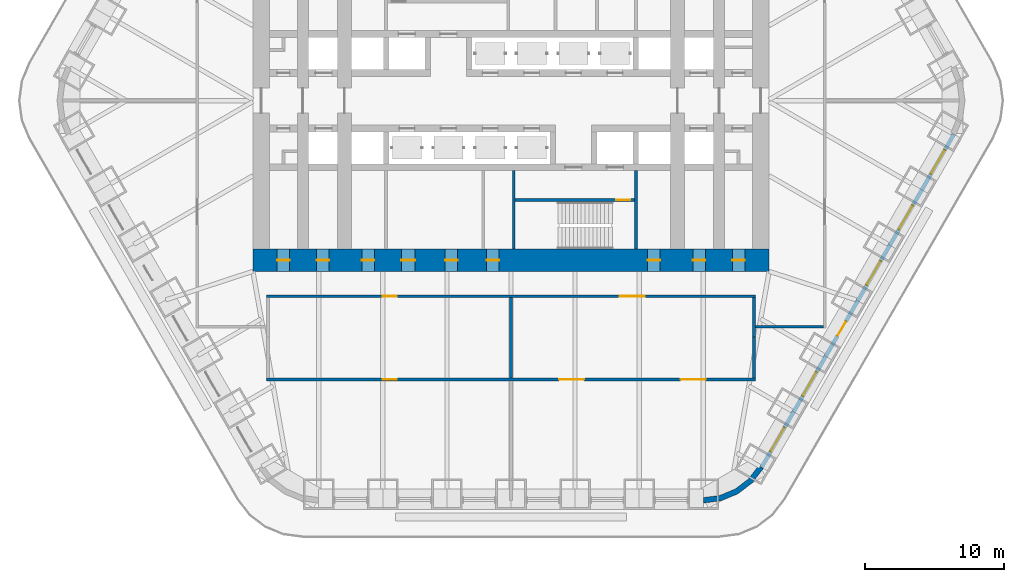
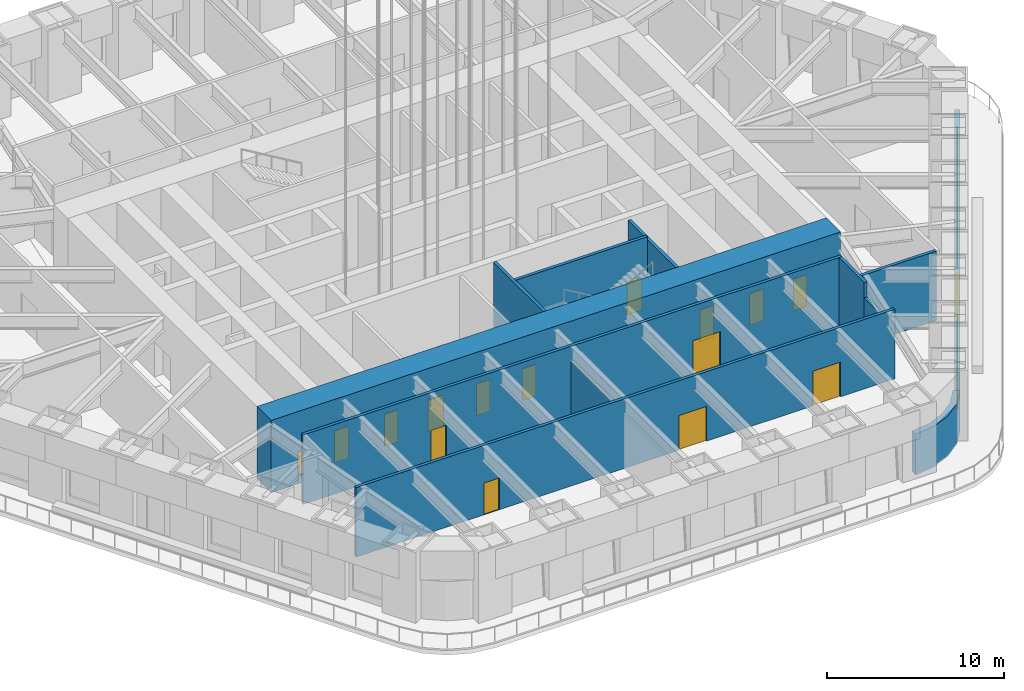
# One storey, part 8 of 15: 16 doors, 12 walls, 5 windows, 21 openings.
"""IFC4 building model written with IfcOpenShell, lengths in metres."""

import ifcopenshell
import ifcopenshell.guid

model = None  # the IFC model being written
_history = None  # IfcOwnerHistory: only IFC2X3 demands one
_inside = {}  # id of a spatial element -> (the spatial element, [elements in it])
_under = {}  # id of a project, library or spatial element -> (it, [spatial elements below it])
_declared = {}  # id of a project -> (the project, [libraries it declares])
_typed = {}  # id of a type object -> (the type object, [elements of that type])
_made_of = {}  # id of a material, layer set ... -> (it, [elements and type objects made of it])


def new_model(schema):
    """Start an empty IFC model of exactly this schema.

    Asked for "IFC4X3", IfcOpenShell would pick the latest addendum, in which some entities
    have other attributes; the version numbers below select the first issue.
    IFC2X3 requires an IfcOwnerHistory on every rooted entity: one is made here for all.
    """
    global model, _history
    if schema == "IFC4X3":
        model = ifcopenshell.file(schema_version=(4, 3, 0, 0))
    else:
        model = ifcopenshell.file(schema=schema)
    _inside.clear()
    _under.clear()
    _declared.clear()
    _typed.clear()
    _made_of.clear()
    _history = None
    if model.schema == "IFC2X3":
        org = make("IfcOrganization", Name="unknown")
        user = make(
            "IfcPersonAndOrganization",
            ThePerson=make("IfcPerson", FamilyName="unknown"),
            TheOrganization=org,
        )
        app = make(
            "IfcApplication",
            ApplicationDeveloper=org,
            Version="unknown",
            ApplicationFullName="unknown",
            ApplicationIdentifier="unknown",
        )
        _history = make(
            "IfcOwnerHistory",
            OwningUser=user,
            OwningApplication=app,
            ChangeAction="ADDED",
            CreationDate=0,
        )
    return model


def make(cls, **values):
    """One entity of the class cls with the attributes given. An attribute that is None is left unset."""
    return model.create_entity(
        cls, **{name: value for name, value in values.items() if value is not None}
    )


def rooted(cls, **values):
    """An entity with a GlobalId (a new one), such as an element, a storey or a relation."""
    return make(cls, GlobalId=ifcopenshell.guid.new(), OwnerHistory=_history, **values)


def si_unit(unit_type, name, prefix=None):
    """IfcSIUnit, for example si_unit("LENGTHUNIT", "METRE", prefix="MILLI")."""
    return make("IfcSIUnit", UnitType=unit_type, Prefix=prefix, Name=name)


def assignment(units):
    """IfcUnitAssignment: the units of a project."""
    return None if units is None else make("IfcUnitAssignment", Units=units)


def point(xyz):
    """IfcCartesianPoint."""
    return None if xyz is None else make("IfcCartesianPoint", Coordinates=xyz)


def direction(xyz):
    """IfcDirection."""
    return None if xyz is None else make("IfcDirection", DirectionRatios=xyz)


def frame(location, z_axis=None, x_axis=None):
    """IfcAxis2Placement3D, a coordinate frame: its origin and axes. An axis left out is left unset."""
    return make(
        "IfcAxis2Placement3D",
        Location=point(location),
        Axis=direction(z_axis),
        RefDirection=direction(x_axis),
    )


def frame_2d(location, x_axis=None):
    """IfcAxis2Placement2D, a coordinate frame in the plane: its origin and x axis."""
    return make(
        "IfcAxis2Placement2D", Location=point(location), RefDirection=direction(x_axis)
    )


def origin():
    """The frame at (0, 0, 0) with its axes left unset."""
    return frame((0.0, 0.0, 0.0))


def place(relative_to, where):
    """IfcLocalPlacement: puts the frame where relative to a parent placement (None: the world)."""
    return make(
        "IfcLocalPlacement", PlacementRelTo=relative_to, RelativePlacement=where
    )


def context(
    kind, dimensions, precision=None, world=None, true_north=None, identifier=None
):
    """IfcGeometricRepresentationContext, for example the 3D "Model" context."""
    return make(
        "IfcGeometricRepresentationContext",
        ContextIdentifier=identifier,
        ContextType=kind,
        CoordinateSpaceDimension=dimensions,
        Precision=precision,
        WorldCoordinateSystem=world,
        TrueNorth=true_north,
    )


def subcontext(parent, identifier, kind, view, scale=None):
    """IfcGeometricRepresentationSubContext, for example "Body" below "Model"."""
    return make(
        "IfcGeometricRepresentationSubContext",
        ContextIdentifier=identifier,
        ContextType=kind,
        ParentContext=parent,
        TargetScale=scale,
        TargetView=view,
    )


def project(units=None, contexts=None):
    """IfcProject with its units and contexts."""
    return rooted(
        "IfcProject",
        Name="project",
        RepresentationContexts=contexts,
        UnitsInContext=assignment(units),
    )


def spatial(cls, under=None, at=None, **own):
    """A site, building, storey or space (cls), placed at a placement, below another one or the project."""
    s = rooted(cls, ObjectPlacement=at, **own)
    if under is not None:
        _under.setdefault(under.id(), (under, []))[1].append(s)
    return s


def polyline(points):
    """IfcPolyline through the points."""
    return make("IfcPolyline", Points=[point(p) for p in points])


def profile(cls, at=None, kind="AREA", **sizes):
    """A parametric profile (cls). Its sizes go by their IFC names, for example OverallWidth=200.0."""
    return make(cls, ProfileType=kind, Position=at, **sizes)


def rectangle(**sizes):
    """IfcRectangleProfileDef."""
    return profile("IfcRectangleProfileDef", **sizes)


def outline(outer, holes=None, kind="AREA"):
    """IfcArbitraryClosedProfileDef: a profile drawn as a closed curve; with holes, ...WithVoids."""
    if holes is None:
        return make("IfcArbitraryClosedProfileDef", ProfileType=kind, OuterCurve=outer)
    return make(
        "IfcArbitraryProfileDefWithVoids",
        ProfileType=kind,
        OuterCurve=outer,
        InnerCurves=holes,
    )


def extrude(swept, where, along, depth):
    """IfcExtrudedAreaSolid: the profile swept, set in the frame where, extruded along a direction by depth."""
    return make(
        "IfcExtrudedAreaSolid",
        SweptArea=swept,
        Position=where,
        ExtrudedDirection=direction(along),
        Depth=depth,
    )


def shape(context_of_items, identifier, shape_type, items):
    """IfcShapeRepresentation: the items that make up one representation, for example the "Body"."""
    return make(
        "IfcShapeRepresentation",
        ContextOfItems=context_of_items,
        RepresentationIdentifier=identifier,
        RepresentationType=shape_type,
        Items=items,
    )


def material(Name=None, Category=None):
    """IfcMaterial."""
    return make("IfcMaterial", Name=Name, Category=Category)


def layer(
    of_material, thickness, ventilated=None, Name=None, Category=None, Priority=None
):
    """IfcMaterialLayer: one layer of a wall or slab, of a material (None: an air gap)."""
    return make(
        "IfcMaterialLayer",
        Material=of_material,
        LayerThickness=thickness,
        IsVentilated=ventilated,
        Name=Name,
        Category=Category,
        Priority=Priority,
    )


def layer_set(layers, Name=None):
    """IfcMaterialLayerSet."""
    return make("IfcMaterialLayerSet", MaterialLayers=layers, LayerSetName=Name)


def made_of(thing, what):
    """Note that an element or type object is made of a material, layer set ...; save() writes the relation."""
    if what is not None:
        _made_of.setdefault(what.id(), (what, []))[1].append(thing)
    return thing


def type_object(cls, material=None, **own):
    """A type object (cls), such as IfcWallType, which elements share."""
    return made_of(rooted(cls, **own), material)


def element(
    cls,
    number,
    at=None,
    inside=None,
    cuts=None,
    type_object=None,
    material=None,
    context=None,
    identifier="Body",
    shape_type=None,
    held_by="IfcProductDefinitionShape",
    body=None,
    shapes=None,
    **own,
):
    """One element of the class cls, such as IfcWall. Its Tag is "e" and its number.

    at: its placement. inside: the storey or other place that contains it. cuts: it is an
    opening in that element (IfcRelVoidsElement). A single representation is given by context,
    identifier, shape_type and body (its items); several are given by shapes. held_by: the class
    of the entity that holds the representations. save() writes the other relations.
    """
    e = rooted(cls, Tag="e%d" % number, ObjectPlacement=at, **own)
    if body is not None:
        shapes = [shape(context, identifier, shape_type, body)]
    if shapes is not None:
        e.Representation = make(held_by, Representations=shapes)
    if inside is not None:
        _inside.setdefault(inside.id(), (inside, []))[1].append(e)
    if cuts is not None:
        rooted(
            "IfcRelVoidsElement", RelatingBuildingElement=cuts, RelatedOpeningElement=e
        )
    if type_object is not None:
        _typed.setdefault(type_object.id(), (type_object, []))[1].append(e)
    return made_of(e, material)


def fill(opening, filler):
    """IfcRelFillsElement: the door or window that sits in an opening."""
    return rooted(
        "IfcRelFillsElement",
        RelatingOpeningElement=opening,
        RelatedBuildingElement=filler,
    )


def aggregate(whole, parts):
    """IfcRelAggregates: a whole, such as a stair, and the parts it consists of."""
    return rooted("IfcRelAggregates", RelatingObject=whole, RelatedObjects=parts)


def save(model, path):
    """Write the relations noted so far, then the file.

    IfcRelAggregates (storeys below a building ...), IfcRelContainedInSpatialStructure (elements
    in a storey), IfcRelDefinesByType, IfcRelAssociatesMaterial and IfcRelDeclares: one each for
    every whole, place, type object, material and project.
    """
    for whole, parts in _under.values():
        aggregate(whole, parts)
    for where, things in _inside.values():
        rooted(
            "IfcRelContainedInSpatialStructure",
            RelatedElements=things,
            RelatingStructure=where,
        )
    for kind, things in _typed.values():
        rooted("IfcRelDefinesByType", RelatedObjects=things, RelatingType=kind)
    for what, things in _made_of.values():
        rooted("IfcRelAssociatesMaterial", RelatedObjects=things, RelatingMaterial=what)
    for by, libraries in _declared.values():
        rooted("IfcRelDeclares", RelatingContext=by, RelatedDefinitions=libraries)
    model.write(path)


model = new_model("IFC4")

# Units and contexts
model_context = context("Model", 3, precision=1e-05, world=origin(), true_north=direction((0.0, 1.0)))
body_context = subcontext(model_context, "Body", "Model", "MODEL_VIEW")
ifc_project = project(units=[si_unit("LENGTHUNIT", "METRE"), si_unit("AREAUNIT", "SQUARE_METRE"), si_unit("VOLUMEUNIT", "CUBIC_METRE"), si_unit("PLANEANGLEUNIT", "RADIAN"), si_unit("MASSUNIT", "GRAM", prefix="KILO")], contexts=[model_context])

# Site, building, storey
site_placement = place(None, origin())
site = spatial("IfcSite", under=ifc_project, at=site_placement, CompositionType="ELEMENT")
building_placement = place(site_placement, origin())
building = spatial("IfcBuilding", under=site, at=building_placement, Name="Tarfa Lantern Tower", CompositionType="ELEMENT")
storey_placement = place(building_placement, frame((0.0, 0.0, 210.5)))
storey = spatial("IfcBuildingStorey", under=building, at=storey_placement, Name="L47", CompositionType="ELEMENT", Elevation=210.5)

# Wall, openings, door, windows
ifc_material_1 = material(Name="Limestone cladding on blockwork", Category="masonry")
ifc_layer_1 = layer(ifc_material_1, 0.300048828125)
ifc_layer_set_1 = layer_set([ifc_layer_1], Name="EW1 STONE-CLAD WALL 300")
wall_type_1 = type_object("IfcWallType", Name="EW1 STONE-CLAD WALL 300", PredefinedType="SOLIDWALL", material=ifc_layer_set_1)
wall_1_placement = place(storey_placement, frame((18.056640625, -26.425048828125, 0.0), z_axis=(0.0, 0.0, 1.0), x_axis=(0.500001051461, 0.866024796723, 0.0)))
wall_1 = element("IfcWall", 1, at=wall_1_placement, inside=storey, type_object=wall_type_1, Name="Stone wall SE", PredefinedType="SOLIDWALL", context=body_context, shape_type="SweptSolid", body=[
    extrude(rectangle(XDim=27.712890625, YDim=0.300048828125, at=frame_2d((13.8564453125, 0.0))), origin(), (0.0, 0.0, 1.0), 2.800048828125),
])
opening_1_placement = place(wall_1_placement, frame((1.309326171875, 0.0, 0.60009765625)))
opening_1 = element("IfcOpeningElement", 2, at=opening_1_placement, cuts=wall_1, Name="Opening W11", PredefinedType="OPENING", context=body_context, shape_type="SweptSolid", body=[
    extrude(rectangle(XDim=2.0, YDim=1.949951171875, at=frame_2d((1.0, 0.97509765625))), frame((0.0, 0.159912109375, 0.0), z_axis=(0.0, -1.0, 0.0), x_axis=(1.0, 0.0, 0.0)), (0.0, 0.0, 1.0), 0.320068359375),
])
opening_2_placement = place(wall_1_placement, frame((5.92822265625, 0.0, 0.60009765625)))
opening_2 = element("IfcOpeningElement", 3, at=opening_2_placement, cuts=wall_1, Name="Opening W11", PredefinedType="OPENING", context=body_context, shape_type="SweptSolid", body=[
    extrude(rectangle(XDim=2.0, YDim=1.949951171875, at=frame_2d((1.0, 0.97509765625))), frame((0.0, 0.159912109375, 0.0), z_axis=(0.0, -1.0, 0.0), x_axis=(1.0, 0.0, 0.0)), (0.0, 0.0, 1.0), 0.320068359375),
])
opening_3_placement = place(wall_1_placement, frame((10.947021484375, 0.0, 0.0)))
opening_3 = element("IfcOpeningElement", 4, at=opening_3_placement, cuts=wall_1, Name="Opening D50", PredefinedType="OPENING", context=body_context, shape_type="SweptSolid", body=[
    extrude(rectangle(XDim=1.199951171875, YDim=2.39990234375, at=frame_2d((0.60009765625, 1.199951171875))), frame((0.0, 0.159912109375, 0.0), z_axis=(0.0, -1.0, 0.0), x_axis=(1.0, 0.0, 0.0)), (0.0, 0.0, 1.0), 0.320068359375),
])
opening_4_placement = place(wall_1_placement, frame((15.165771484375, 0.0, 0.60009765625)))
opening_4 = element("IfcOpeningElement", 5, at=opening_4_placement, cuts=wall_1, Name="Opening W11", PredefinedType="OPENING", context=body_context, shape_type="SweptSolid", body=[
    extrude(rectangle(XDim=2.0, YDim=1.949951171875, at=frame_2d((1.0, 0.97509765625))), frame((0.0, 0.159912109375, 0.0), z_axis=(0.0, -1.0, 0.0), x_axis=(1.0, 0.0, 0.0)), (0.0, 0.0, 1.0), 0.320068359375),
])
opening_5_placement = place(wall_1_placement, frame((19.78466796875, 0.0, 0.60009765625)))
opening_5 = element("IfcOpeningElement", 6, at=opening_5_placement, cuts=wall_1, Name="Opening W11", PredefinedType="OPENING", context=body_context, shape_type="SweptSolid", body=[
    extrude(rectangle(XDim=2.0, YDim=1.949951171875, at=frame_2d((1.0, 0.97509765625))), frame((0.0, 0.159912109375, 0.0), z_axis=(0.0, -1.0, 0.0), x_axis=(1.0, 0.0, 0.0)), (0.0, 0.0, 1.0), 0.320068359375),
])
opening_6_placement = place(wall_1_placement, frame((24.4033203125, 0.0, 0.60009765625)))
opening_6 = element("IfcOpeningElement", 7, at=opening_6_placement, cuts=wall_1, Name="Opening W11", PredefinedType="OPENING", context=body_context, shape_type="SweptSolid", body=[
    extrude(rectangle(XDim=2.0, YDim=1.949951171875, at=frame_2d((1.0, 0.97509765625))), frame((0.0, 0.159912109375, 0.0), z_axis=(0.0, -1.0, 0.0), x_axis=(1.0, 0.0, 0.0)), (0.0, 0.0, 1.0), 0.320068359375),
])
ifc_material_2 = material(Name="Aluminium framed glazed door", Category="aluminium")
door_type_1 = type_object("IfcDoorType", Name="BE3 BALCONY DOOR 1200x2400", OperationType="SINGLE_SWING_RIGHT", PredefinedType="DOOR", material=ifc_material_2)
door_1_placement = place(opening_3_placement, origin())
door_1 = element("IfcDoor", 8, at=door_1_placement, inside=storey, type_object=door_type_1, Name="Balcony door SE", OperationType="SINGLE_SWING_RIGHT", OverallHeight=2.39990234375, OverallWidth=1.199951171875, PredefinedType="DOOR", context=body_context, shape_type="SweptSolid", body=[
    extrude(rectangle(XDim=1.199951171875, YDim=2.39990234375, at=frame_2d((0.60009765625, 1.199951171875))), frame((0.0, 0.02490234375, 0.0), z_axis=(0.0, -1.0, 0.0), x_axis=(1.0, 0.0, 0.0)), (0.0, 0.0, 1.0), 0.050048828125),
])
fill(opening_3, door_1)
ifc_material_3 = material(Name="Aluminium frame, double glazed", Category="aluminium")
window_type = type_object("IfcWindowType", Name="W11 FULL-HEIGHT GLAZING 2000x1950", PartitioningType="SINGLE_PANEL", PredefinedType="WINDOW", material=ifc_material_3)
window_1_placement = place(opening_1_placement, origin())
window_1 = element("IfcWindow", 9, at=window_1_placement, inside=storey, type_object=window_type, Name="Window SE 1", OverallHeight=1.949951171875, OverallWidth=2.0, PartitioningType="SINGLE_PANEL", PredefinedType="WINDOW", context=body_context, shape_type="SweptSolid", body=[
    extrude(rectangle(XDim=2.0, YDim=1.949951171875, at=frame_2d((1.0, 0.97509765625))), frame((0.0, 0.030029296875, 0.0), z_axis=(0.0, -1.0, 0.0), x_axis=(1.0, 0.0, 0.0)), (0.0, 0.0, 1.0), 0.06005859375),
])
fill(opening_1, window_1)
window_2_placement = place(opening_2_placement, origin())
window_2 = element("IfcWindow", 10, at=window_2_placement, inside=storey, type_object=window_type, Name="Window SE 2", OverallHeight=1.949951171875, OverallWidth=2.0, PartitioningType="SINGLE_PANEL", PredefinedType="WINDOW", context=body_context, shape_type="SweptSolid", body=[
    extrude(rectangle(XDim=2.0, YDim=1.949951171875, at=frame_2d((1.0, 0.97509765625))), frame((0.0, 0.030029296875, 0.0), z_axis=(0.0, -1.0, 0.0), x_axis=(1.0, 0.0, 0.0)), (0.0, 0.0, 1.0), 0.06005859375),
])
fill(opening_2, window_2)
window_3_placement = place(opening_4_placement, origin())
window_3 = element("IfcWindow", 11, at=window_3_placement, inside=storey, type_object=window_type, Name="Window SE 4", OverallHeight=1.949951171875, OverallWidth=2.0, PartitioningType="SINGLE_PANEL", PredefinedType="WINDOW", context=body_context, shape_type="SweptSolid", body=[
    extrude(rectangle(XDim=2.0, YDim=1.949951171875, at=frame_2d((1.0, 0.97509765625))), frame((0.0, 0.030029296875, 0.0), z_axis=(0.0, -1.0, 0.0), x_axis=(1.0, 0.0, 0.0)), (0.0, 0.0, 1.0), 0.06005859375),
])
fill(opening_4, window_3)
window_4_placement = place(opening_5_placement, origin())
window_4 = element("IfcWindow", 12, at=window_4_placement, inside=storey, type_object=window_type, Name="Window SE 5", OverallHeight=1.949951171875, OverallWidth=2.0, PartitioningType="SINGLE_PANEL", PredefinedType="WINDOW", context=body_context, shape_type="SweptSolid", body=[
    extrude(rectangle(XDim=2.0, YDim=1.949951171875, at=frame_2d((1.0, 0.97509765625))), frame((0.0, 0.030029296875, 0.0), z_axis=(0.0, -1.0, 0.0), x_axis=(1.0, 0.0, 0.0)), (0.0, 0.0, 1.0), 0.06005859375),
])
fill(opening_5, window_4)
window_5_placement = place(opening_6_placement, origin())
window_5 = element("IfcWindow", 13, at=window_5_placement, inside=storey, type_object=window_type, Name="Window SE 6", OverallHeight=1.949951171875, OverallWidth=2.0, PartitioningType="SINGLE_PANEL", PredefinedType="WINDOW", context=body_context, shape_type="SweptSolid", body=[
    extrude(rectangle(XDim=2.0, YDim=1.949951171875, at=frame_2d((1.0, 0.97509765625))), frame((0.0, 0.030029296875, 0.0), z_axis=(0.0, -1.0, 0.0), x_axis=(1.0, 0.0, 0.0)), (0.0, 0.0, 1.0), 0.06005859375),
])
fill(opening_6, window_5)

# Walls
ifc_layer_2 = layer(ifc_material_1, 0.39990234375)
ifc_layer_set_2 = layer_set([ifc_layer_2], Name="EW2 CURVED STONE CORNER 400")
wall_type_2 = type_object("IfcWallType", Name="EW2 CURVED STONE CORNER 400", PredefinedType="SOLIDWALL", material=ifc_layer_set_2)
wall_2_placement = place(storey_placement, origin())
element("IfcWall", 14, at=wall_2_placement, inside=storey, type_object=wall_type_2, Name="Stone corner S-SE", PredefinedType="SOLIDWALL", context=body_context, shape_type="SweptSolid", body=[
    extrude(outline(polyline([(13.8564453125, -29.0), (15.150390625, -28.82958984375), (16.3564453125, -28.330078125), (17.391845703125, -27.53564453125), (18.1865234375, -26.5), (17.840087890625, -26.300048828125), (17.109130859375, -27.252685546875), (16.156494140625, -27.983642578125), (15.046875, -28.443359375), (13.8564453125, -28.60009765625), (13.8564453125, -29.0)])), origin(), (0.0, 0.0, 1.0), 2.800048828125),
])
ifc_material_4 = material(Name="Concrete blockwork", Category="masonry")
ifc_layer_3 = layer(ifc_material_4, 0.199951171875)
ifc_layer_set_3 = layer_set([ifc_layer_3], Name="IW1 BLOCKWORK PARTITION 200 EI 120")
wall_type_3 = type_object("IfcWallType", Name="IW1 BLOCKWORK PARTITION 200 EI 120", PredefinedType="PARTITIONING", material=ifc_layer_set_3)
wall_3_placement = place(storey_placement, frame((9.0, -5.050048828125, 0.0), z_axis=(0.0, 0.0, 1.0), x_axis=(0.0, -1.0, 0.0)))
element("IfcWall", 15, at=wall_3_placement, inside=storey, type_object=wall_type_3, Name="Core partition", PredefinedType="PARTITIONING", context=body_context, shape_type="SweptSolid", body=[
    extrude(rectangle(XDim=5.64990234375, YDim=0.199951171875, at=frame_2d((2.824951171875, 0.0))), origin(), (0.0, 0.0, 1.0), 4.800048828125),
])

# Wall, openings, doors
ifc_material_5 = material(Name="Gypsum board on steel studs", Category="steel")
ifc_layer_4 = layer(ifc_material_5, 0.2099609375)
ifc_layer_set_4 = layer_set([ifc_layer_4], Name="IW2 ACOUSTIC PARTITION 200")
wall_type_4 = type_object("IfcWallType", Name="IW2 ACOUSTIC PARTITION 200", PredefinedType="PARTITIONING", material=ifc_layer_set_4)
wall_4_placement = place(storey_placement, frame((17.60009765625, -14.10009765625, 0.0), z_axis=(0.0, 0.0, 1.0), x_axis=(-1.0, 0.0, 0.0)))
wall_4 = element("IfcWall", 16, at=wall_4_placement, inside=storey, type_object=wall_type_4, Name="Partition", PredefinedType="PARTITIONING", context=body_context, shape_type="SweptSolid", body=[
    extrude(rectangle(XDim=35.2001953125, YDim=0.199951171875, at=frame_2d((17.60009765625, 0.0))), origin(), (0.0, 0.0, 1.0), 4.800048828125),
])
opening_7_placement = place(wall_4_placement, frame((7.949951171875, 0.0, 0.0)))
opening_7 = element("IfcOpeningElement", 17, at=opening_7_placement, cuts=wall_4, Name="Opening D43", PredefinedType="OPENING", context=body_context, shape_type="SweptSolid", body=[
    extrude(rectangle(XDim=1.800048828125, YDim=2.39990234375, at=frame_2d((0.89990234375, 1.199951171875))), frame((0.0, 0.10986328125, 0.0), z_axis=(0.0, -1.0, 0.0), x_axis=(1.0, 0.0, 0.0)), (0.0, 0.0, 1.0), 0.219970703125),
])
opening_8_placement = place(wall_4_placement, frame((25.85009765625, 0.0, 0.0)))
opening_8 = element("IfcOpeningElement", 18, at=opening_8_placement, cuts=wall_4, Name="Opening D44", PredefinedType="OPENING", context=body_context, shape_type="SweptSolid", body=[
    extrude(rectangle(XDim=1.0, YDim=2.199951171875, at=frame_2d((0.5, 1.10009765625))), frame((0.0, 0.10986328125, 0.0), z_axis=(0.0, -1.0, 0.0), x_axis=(1.0, 0.0, 0.0)), (0.0, 0.0, 1.0), 0.219970703125),
])
ifc_material_6 = material(Name="Timber door", Category="wood")
door_type_2 = type_object("IfcDoorType", Name="DR1 ROOM DOOR 1000x2200", OperationType="SINGLE_SWING_LEFT", PredefinedType="DOOR", material=ifc_material_6)
door_2_placement = place(opening_8_placement, origin())
door_2 = element("IfcDoor", 19, at=door_2_placement, inside=storey, type_object=door_type_2, Name="Reception door", OperationType="SINGLE_SWING_LEFT", OverallHeight=2.199951171875, OverallWidth=1.0, PredefinedType="DOOR", context=body_context, shape_type="SweptSolid", body=[
    extrude(rectangle(XDim=1.0, YDim=2.199951171875, at=frame_2d((0.5, 1.10009765625))), frame((0.0, 0.02490234375, 0.0), z_axis=(0.0, -1.0, 0.0), x_axis=(1.0, 0.0, 0.0)), (0.0, 0.0, 1.0), 0.050048828125),
])
fill(opening_8, door_2)
door_type_3 = type_object("IfcDoorType", Name="DR2 ROOM DOOR 1800x2400", OperationType="DOUBLE_DOOR_SINGLE_SWING", PredefinedType="DOOR", material=ifc_material_6)
door_3_placement = place(opening_7_placement, origin())
door_3 = element("IfcDoor", 20, at=door_3_placement, inside=storey, type_object=door_type_3, Name="Client waiting lounge door", OperationType="DOUBLE_DOOR_SINGLE_SWING", OverallHeight=2.39990234375, OverallWidth=1.800048828125, PredefinedType="DOOR", context=body_context, shape_type="SweptSolid", body=[
    extrude(rectangle(XDim=1.800048828125, YDim=2.39990234375, at=frame_2d((0.89990234375, 1.199951171875))), frame((0.0, 0.02490234375, 0.0), z_axis=(0.0, -1.0, 0.0), x_axis=(1.0, 0.0, 0.0)), (0.0, 0.0, 1.0), 0.050048828125),
])
fill(opening_7, door_3)

# Walls
wall_5_placement = place(storey_placement, frame((17.5, -14.199951171875, 0.0), z_axis=(0.0, 0.0, 1.0), x_axis=(0.0, -1.0, 0.0)))
element("IfcWall", 21, at=wall_5_placement, inside=storey, type_object=wall_type_4, Name="Partition", PredefinedType="PARTITIONING", context=body_context, shape_type="SweptSolid", body=[
    extrude(rectangle(XDim=2.84423828125, YDim=0.199951171875, at=frame_2d((1.422119140625, 0.0))), origin(), (0.0, 0.0, 1.0), 4.800048828125),
])
wall_6_placement = place(storey_placement, frame((17.5, -17.044189453125, 0.0), z_axis=(0.0, 0.0, 1.0), x_axis=(0.0, -1.0, 0.0)))
element("IfcWall", 22, at=wall_6_placement, inside=storey, type_object=wall_type_4, Name="Partition", PredefinedType="PARTITIONING", context=body_context, shape_type="SweptSolid", body=[
    extrude(rectangle(XDim=2.955810546875, YDim=0.199951171875, at=frame_2d((1.47802734375, 0.0))), origin(), (0.0, 0.0, 1.0), 3.743896484375),
])
wall_7_placement = place(storey_placement, frame((0.0, -14.199951171875, 0.0), z_axis=(0.0, 0.0, 1.0), x_axis=(0.0, -1.0, 0.0)))
element("IfcWall", 23, at=wall_7_placement, inside=storey, type_object=wall_type_4, Name="Partition", PredefinedType="PARTITIONING", context=body_context, shape_type="SweptSolid", body=[
    extrude(rectangle(XDim=5.800048828125, YDim=0.199951171875, at=frame_2d((2.89990234375, 0.0))), origin(), (0.0, 0.0, 1.0), 3.7919921875),
])

# Wall, openings, doors
wall_8_placement = place(storey_placement, frame((17.60009765625, -20.10009765625, 0.0), z_axis=(0.0, 0.0, 1.0), x_axis=(-1.0, 0.0, 0.0)))
wall_8 = element("IfcWall", 24, at=wall_8_placement, inside=storey, type_object=wall_type_4, Name="Partition", PredefinedType="PARTITIONING", context=body_context, shape_type="SweptSolid", body=[
    extrude(rectangle(XDim=35.2001953125, YDim=0.199951171875, at=frame_2d((17.60009765625, 0.0))), origin(), (0.0, 0.0, 1.0), 4.800048828125),
])
opening_9_placement = place(wall_8_placement, frame((3.574951171875, 0.0, 0.0)))
opening_9 = element("IfcOpeningElement", 25, at=opening_9_placement, cuts=wall_8, Name="Opening D37", PredefinedType="OPENING", context=body_context, shape_type="SweptSolid", body=[
    extrude(rectangle(XDim=1.800048828125, YDim=2.39990234375, at=frame_2d((0.89990234375, 1.199951171875))), frame((0.0, 0.10986328125, 0.0), z_axis=(0.0, -1.0, 0.0), x_axis=(1.0, 0.0, 0.0)), (0.0, 0.0, 1.0), 0.219970703125),
])
opening_10_placement = place(wall_8_placement, frame((12.324951171875, 0.0, 0.0)))
opening_10 = element("IfcOpeningElement", 26, at=opening_10_placement, cuts=wall_8, Name="Opening D38", PredefinedType="OPENING", context=body_context, shape_type="SweptSolid", body=[
    extrude(rectangle(XDim=1.800048828125, YDim=2.39990234375, at=frame_2d((0.89990234375, 1.199951171875))), frame((0.0, 0.10986328125, 0.0), z_axis=(0.0, -1.0, 0.0), x_axis=(1.0, 0.0, 0.0)), (0.0, 0.0, 1.0), 0.219970703125),
])
opening_11_placement = place(wall_8_placement, frame((25.85009765625, 0.0, 0.0)))
opening_11 = element("IfcOpeningElement", 27, at=opening_11_placement, cuts=wall_8, Name="Opening D39", PredefinedType="OPENING", context=body_context, shape_type="SweptSolid", body=[
    extrude(rectangle(XDim=1.0, YDim=2.199951171875, at=frame_2d((0.5, 1.10009765625))), frame((0.0, 0.10986328125, 0.0), z_axis=(0.0, -1.0, 0.0), x_axis=(1.0, 0.0, 0.0)), (0.0, 0.0, 1.0), 0.219970703125),
])
door_4_placement = place(opening_11_placement, frame((1.0, 0.0, 0.0), z_axis=(0.0, 0.0, 1.0), x_axis=(-1.0, 0.0, 0.0)))
door_4 = element("IfcDoor", 28, at=door_4_placement, inside=storey, type_object=door_type_2, Name="Reception door", OperationType="SINGLE_SWING_RIGHT", OverallHeight=2.199951171875, OverallWidth=1.0, PredefinedType="DOOR", context=body_context, shape_type="SweptSolid", body=[
    extrude(rectangle(XDim=1.0, YDim=2.199951171875, at=frame_2d((0.5, 1.10009765625))), frame((0.0, 0.02490234375, 0.0), z_axis=(0.0, -1.0, 0.0), x_axis=(1.0, 0.0, 0.0)), (0.0, 0.0, 1.0), 0.050048828125),
])
fill(opening_11, door_4)
door_5_placement = place(opening_9_placement, frame((1.800048828125, 0.0, 0.0), z_axis=(0.0, 0.0, 1.0), x_axis=(-1.0, 0.0, 0.0)))
door_5 = element("IfcDoor", 29, at=door_5_placement, inside=storey, type_object=door_type_3, Name="Client waiting lounge door", OperationType="DOUBLE_DOOR_SINGLE_SWING", OverallHeight=2.39990234375, OverallWidth=1.800048828125, PredefinedType="DOOR", context=body_context, shape_type="SweptSolid", body=[
    extrude(rectangle(XDim=1.800048828125, YDim=2.39990234375, at=frame_2d((0.89990234375, 1.199951171875))), frame((0.0, 0.02490234375, 0.0), z_axis=(0.0, -1.0, 0.0), x_axis=(1.0, 0.0, 0.0)), (0.0, 0.0, 1.0), 0.050048828125),
])
fill(opening_9, door_5)
door_6_placement = place(opening_10_placement, frame((1.800048828125, 0.0, 0.0), z_axis=(0.0, 0.0, 1.0), x_axis=(-1.0, 0.0, 0.0)))
door_6 = element("IfcDoor", 30, at=door_6_placement, inside=storey, type_object=door_type_3, Name="Client waiting lounge door", OperationType="DOUBLE_DOOR_SINGLE_SWING", OverallHeight=2.39990234375, OverallWidth=1.800048828125, PredefinedType="DOOR", context=body_context, shape_type="SweptSolid", body=[
    extrude(rectangle(XDim=1.800048828125, YDim=2.39990234375, at=frame_2d((0.89990234375, 1.199951171875))), frame((0.0, 0.02490234375, 0.0), z_axis=(0.0, -1.0, 0.0), x_axis=(1.0, 0.0, 0.0)), (0.0, 0.0, 1.0), 0.050048828125),
])
fill(opening_10, door_6)

# Walls
wall_9_placement = place(storey_placement, frame((17.60009765625, -16.300048828125, 0.0), z_axis=(0.0, 0.0, 1.0), x_axis=(1.0, 0.0, 0.0)))
element("IfcWall", 31, at=wall_9_placement, inside=storey, type_object=wall_type_4, Name="Partition", PredefinedType="PARTITIONING", context=body_context, shape_type="SweptSolid", body=[
    extrude(rectangle(XDim=4.89990234375, YDim=0.199951171875, at=frame_2d((2.449951171875, 0.0))), origin(), (0.0, 0.0, 1.0), 4.800048828125),
])
ifc_material_7 = material(Name="Concrete C80/95", Category="concrete")
ifc_layer_5 = layer(ifc_material_7, 0.199951171875)
ifc_layer_set_5 = layer_set([ifc_layer_5], Name="SW12 CORE WALL 200")
wall_type_5 = type_object("IfcWallType", Name="SW12 CORE WALL 200", PredefinedType="SHEAR", material=ifc_layer_set_5)
wall_10_placement = place(storey_placement, frame((0.199951171875, -5.050048828125, 0.0), z_axis=(0.0, 0.0, 1.0), x_axis=(0.0, -1.0, 0.0)))
element("IfcWall", 32, at=wall_10_placement, inside=storey, type_object=wall_type_5, Name="Core wall stair shaft S", PredefinedType="SHEAR", context=body_context, shape_type="SweptSolid", body=[
    extrude(rectangle(XDim=5.64990234375, YDim=0.199951171875, at=frame_2d((2.824951171875, 0.0))), origin(), (0.0, 0.0, 1.0), 5.0),
])

# Wall, opening, door
wall_11_placement = place(storey_placement, frame((8.89990234375, -7.14990234375, 0.0), z_axis=(0.0, 0.0, 1.0), x_axis=(-1.0, 0.0, 0.0)))
wall_11 = element("IfcWall", 33, at=wall_11_placement, inside=storey, type_object=wall_type_5, Name="Core wall stair partition S", PredefinedType="SHEAR", context=body_context, shape_type="SweptSolid", body=[
    extrude(rectangle(XDim=8.599853515625, YDim=0.199951171875, at=frame_2d((4.2998046875, 0.0))), origin(), (0.0, 0.0, 1.0), 5.0),
])
opening_12_placement = place(wall_11_placement, frame((0.300048828125, 0.0, 0.0)))
opening_12 = element("IfcOpeningElement", 34, at=opening_12_placement, cuts=wall_11, Name="Opening D28", PredefinedType="OPENING", context=body_context, shape_type="SweptSolid", body=[
    extrude(rectangle(XDim=1.0, YDim=2.199951171875, at=frame_2d((0.5, 1.10009765625))), frame((0.0, 0.10986328125, 0.0), z_axis=(0.0, -1.0, 0.0), x_axis=(1.0, 0.0, 0.0)), (0.0, 0.0, 1.0), 0.219970703125),
])
ifc_material_8 = material(Name="Steel fire door", Category="steel")
door_type_4 = type_object("IfcDoorType", Name="DF2 STAIR DOOR 1000x2200", OperationType="SINGLE_SWING_LEFT", PredefinedType="DOOR", material=ifc_material_8)
door_7_placement = place(opening_12_placement, origin())
door_7 = element("IfcDoor", 35, at=door_7_placement, inside=storey, type_object=door_type_4, Name="Stair door", OperationType="SINGLE_SWING_RIGHT", OverallHeight=2.199951171875, OverallWidth=1.0, PredefinedType="DOOR", context=body_context, shape_type="SweptSolid", body=[
    extrude(rectangle(XDim=1.0, YDim=2.199951171875, at=frame_2d((0.5, 1.10009765625))), frame((0.0, 0.02490234375, 0.0), z_axis=(0.0, -1.0, 0.0), x_axis=(1.0, 0.0, 0.0)), (0.0, 0.0, 1.0), 0.050048828125),
])
fill(opening_12, door_7)

# Wall, openings, doors
ifc_layer_6 = layer(ifc_material_7, 1.60009765625)
ifc_layer_set_6 = layer_set([ifc_layer_6], Name="SW7 CORE WALL 1600")
wall_type_6 = type_object("IfcWallType", Name="SW7 CORE WALL 1600", PredefinedType="SHEAR", material=ifc_layer_set_6)
wall_12_placement = place(storey_placement, frame((18.60009765625, -11.5, 0.0), z_axis=(0.0, 0.0, 1.0), x_axis=(-1.0, 0.0, 0.0)))
wall_12 = element("IfcWall", 36, at=wall_12_placement, inside=storey, type_object=wall_type_6, Name="Core wall S", PredefinedType="SHEAR", context=body_context, shape_type="SweptSolid", body=[
    extrude(rectangle(XDim=37.2001953125, YDim=1.60009765625, at=frame_2d((18.60009765625, 0.0))), origin(), (0.0, 0.0, 1.0), 5.0),
])
opening_13_placement = place(wall_12_placement, frame((19.449951171875, 0.0, 0.0)))
opening_13 = element("IfcOpeningElement", 37, at=opening_13_placement, cuts=wall_12, Name="Opening D22", PredefinedType="OPENING", context=body_context, shape_type="SweptSolid", body=[
    extrude(rectangle(XDim=0.89990234375, YDim=2.199951171875, at=frame_2d((0.449951171875, 1.10009765625))), frame((0.0, 0.81005859375, 0.0), z_axis=(0.0, -1.0, 0.0), x_axis=(1.0, 0.0, 0.0)), (0.0, 0.0, 1.0), 1.6201171875),
])
opening_14_placement = place(wall_12_placement, frame((22.449951171875, 0.0, 0.0)))
opening_14 = element("IfcOpeningElement", 38, at=opening_14_placement, cuts=wall_12, Name="Opening D24", PredefinedType="OPENING", context=body_context, shape_type="SweptSolid", body=[
    extrude(rectangle(XDim=0.89990234375, YDim=2.199951171875, at=frame_2d((0.449951171875, 1.10009765625))), frame((0.0, 0.81005859375, 0.0), z_axis=(0.0, -1.0, 0.0), x_axis=(1.0, 0.0, 0.0)), (0.0, 0.0, 1.0), 1.6201171875),
])
opening_15_placement = place(wall_12_placement, frame((25.5, 0.0, 0.0)))
opening_15 = element("IfcOpeningElement", 39, at=opening_15_placement, cuts=wall_12, Name="Opening D26", PredefinedType="OPENING", context=body_context, shape_type="SweptSolid", body=[
    extrude(rectangle(XDim=1.0, YDim=2.199951171875, at=frame_2d((0.5, 1.10009765625))), frame((0.0, 0.81005859375, 0.0), z_axis=(0.0, -1.0, 0.0), x_axis=(1.0, 0.0, 0.0)), (0.0, 0.0, 1.0), 1.6201171875),
])
opening_16_placement = place(wall_12_placement, frame((1.75, 0.0, 0.0)))
opening_16 = element("IfcOpeningElement", 40, at=opening_16_placement, cuts=wall_12, Name="Opening D12", PredefinedType="OPENING", context=body_context, shape_type="SweptSolid", body=[
    extrude(rectangle(XDim=0.89990234375, YDim=2.199951171875, at=frame_2d((0.449951171875, 1.10009765625))), frame((0.0, 0.81005859375, 0.0), z_axis=(0.0, -1.0, 0.0), x_axis=(1.0, 0.0, 0.0)), (0.0, 0.0, 1.0), 1.6201171875),
])
opening_17_placement = place(wall_12_placement, frame((4.60009765625, 0.0, 0.0)))
opening_17 = element("IfcOpeningElement", 41, at=opening_17_placement, cuts=wall_12, Name="Opening D08", PredefinedType="OPENING", context=body_context, shape_type="SweptSolid", body=[
    extrude(rectangle(XDim=0.89990234375, YDim=2.199951171875, at=frame_2d((0.449951171875, 1.10009765625))), frame((0.0, 0.81005859375, 0.0), z_axis=(0.0, -1.0, 0.0), x_axis=(1.0, 0.0, 0.0)), (0.0, 0.0, 1.0), 1.6201171875),
])
opening_18_placement = place(wall_12_placement, frame((7.85009765625, 0.0, 0.0)))
opening_18 = element("IfcOpeningElement", 42, at=opening_18_placement, cuts=wall_12, Name="Opening D10", PredefinedType="OPENING", context=body_context, shape_type="SweptSolid", body=[
    extrude(rectangle(XDim=0.89990234375, YDim=2.199951171875, at=frame_2d((0.449951171875, 1.10009765625))), frame((0.0, 0.81005859375, 0.0), z_axis=(0.0, -1.0, 0.0), x_axis=(1.0, 0.0, 0.0)), (0.0, 0.0, 1.0), 1.6201171875),
])
opening_19_placement = place(wall_12_placement, frame((28.449951171875, 0.0, 0.0)))
opening_19 = element("IfcOpeningElement", 43, at=opening_19_placement, cuts=wall_12, Name="Opening D06", PredefinedType="OPENING", context=body_context, shape_type="SweptSolid", body=[
    extrude(rectangle(XDim=0.89990234375, YDim=2.199951171875, at=frame_2d((0.449951171875, 1.10009765625))), frame((0.0, 0.81005859375, 0.0), z_axis=(0.0, -1.0, 0.0), x_axis=(1.0, 0.0, 0.0)), (0.0, 0.0, 1.0), 1.6201171875),
])
opening_20_placement = place(wall_12_placement, frame((31.699951171875, 0.0, 0.0)))
opening_20 = element("IfcOpeningElement", 44, at=opening_20_placement, cuts=wall_12, Name="Opening D02", PredefinedType="OPENING", context=body_context, shape_type="SweptSolid", body=[
    extrude(rectangle(XDim=0.89990234375, YDim=2.199951171875, at=frame_2d((0.449951171875, 1.10009765625))), frame((0.0, 0.81005859375, 0.0), z_axis=(0.0, -1.0, 0.0), x_axis=(1.0, 0.0, 0.0)), (0.0, 0.0, 1.0), 1.6201171875),
])
opening_21_placement = place(wall_12_placement, frame((34.550048828125, 0.0, 0.0)))
opening_21 = element("IfcOpeningElement", 45, at=opening_21_placement, cuts=wall_12, Name="Opening D04", PredefinedType="OPENING", context=body_context, shape_type="SweptSolid", body=[
    extrude(rectangle(XDim=0.89990234375, YDim=2.199951171875, at=frame_2d((0.449951171875, 1.10009765625))), frame((0.0, 0.81005859375, 0.0), z_axis=(0.0, -1.0, 0.0), x_axis=(1.0, 0.0, 0.0)), (0.0, 0.0, 1.0), 1.6201171875),
])
door_type_5 = type_object("IfcDoorType", Name="DF3 CORE ROOM DOOR 900x2200", OperationType="SINGLE_SWING_LEFT", PredefinedType="DOOR", material=ifc_material_8)
door_8_placement = place(opening_13_placement, frame((0.89990234375, 0.0, 0.0), z_axis=(0.0, 0.0, 1.0), x_axis=(-1.0, 0.0, 0.0)))
door_8 = element("IfcDoor", 46, at=door_8_placement, inside=storey, type_object=door_type_5, Name="Core door", OperationType="SINGLE_SWING_RIGHT", OverallHeight=2.199951171875, OverallWidth=0.89990234375, PredefinedType="DOOR", context=body_context, shape_type="SweptSolid", body=[
    extrude(rectangle(XDim=0.89990234375, YDim=2.199951171875, at=frame_2d((0.449951171875, 1.10009765625))), frame((0.0, 0.02490234375, 0.0), z_axis=(0.0, -1.0, 0.0), x_axis=(1.0, 0.0, 0.0)), (0.0, 0.0, 1.0), 0.050048828125),
])
fill(opening_13, door_8)
door_9_placement = place(opening_14_placement, frame((0.89990234375, 0.0, 0.0), z_axis=(0.0, 0.0, 1.0), x_axis=(-1.0, 0.0, 0.0)))
door_9 = element("IfcDoor", 47, at=door_9_placement, inside=storey, type_object=door_type_5, Name="Core door", OperationType="SINGLE_SWING_LEFT", OverallHeight=2.199951171875, OverallWidth=0.89990234375, PredefinedType="DOOR", context=body_context, shape_type="SweptSolid", body=[
    extrude(rectangle(XDim=0.89990234375, YDim=2.199951171875, at=frame_2d((0.449951171875, 1.10009765625))), frame((0.0, 0.02490234375, 0.0), z_axis=(0.0, -1.0, 0.0), x_axis=(1.0, 0.0, 0.0)), (0.0, 0.0, 1.0), 0.050048828125),
])
fill(opening_14, door_9)
door_type_6 = type_object("IfcDoorType", Name="DF4 CORE ROOM DOOR 1000x2200", OperationType="SINGLE_SWING_LEFT", PredefinedType="DOOR", material=ifc_material_8)
door_10_placement = place(opening_15_placement, frame((1.0, 0.0, 0.0), z_axis=(0.0, 0.0, 1.0), x_axis=(-1.0, 0.0, 0.0)))
door_10 = element("IfcDoor", 48, at=door_10_placement, inside=storey, type_object=door_type_6, Name="Core door", OperationType="SINGLE_SWING_RIGHT", OverallHeight=2.199951171875, OverallWidth=1.0, PredefinedType="DOOR", context=body_context, shape_type="SweptSolid", body=[
    extrude(rectangle(XDim=1.0, YDim=2.199951171875, at=frame_2d((0.5, 1.10009765625))), frame((0.0, 0.02490234375, 0.0), z_axis=(0.0, -1.0, 0.0), x_axis=(1.0, 0.0, 0.0)), (0.0, 0.0, 1.0), 0.050048828125),
])
fill(opening_15, door_10)
door_type_7 = type_object("IfcDoorType", Name="DF5 RISER DOOR 900x2200", OperationType="SINGLE_SWING_LEFT", PredefinedType="DOOR", material=ifc_material_8)
door_11_placement = place(opening_16_placement, frame((0.89990234375, 0.0, 0.0), z_axis=(0.0, 0.0, 1.0), x_axis=(-1.0, 0.0, 0.0)))
door_11 = element("IfcDoor", 49, at=door_11_placement, inside=storey, type_object=door_type_7, Name="Riser door", OperationType="SINGLE_SWING_LEFT", OverallHeight=2.199951171875, OverallWidth=0.89990234375, PredefinedType="DOOR", context=body_context, shape_type="SweptSolid", body=[
    extrude(rectangle(XDim=0.89990234375, YDim=2.199951171875, at=frame_2d((0.449951171875, 1.10009765625))), frame((0.0, 0.02490234375, 0.0), z_axis=(0.0, -1.0, 0.0), x_axis=(1.0, 0.0, 0.0)), (0.0, 0.0, 1.0), 0.050048828125),
])
fill(opening_16, door_11)
door_12_placement = place(opening_17_placement, frame((0.89990234375, 0.0, 0.0), z_axis=(0.0, 0.0, 1.0), x_axis=(-1.0, 0.0, 0.0)))
door_12 = element("IfcDoor", 50, at=door_12_placement, inside=storey, type_object=door_type_7, Name="Riser door", OperationType="SINGLE_SWING_LEFT", OverallHeight=2.199951171875, OverallWidth=0.89990234375, PredefinedType="DOOR", context=body_context, shape_type="SweptSolid", body=[
    extrude(rectangle(XDim=0.89990234375, YDim=2.199951171875, at=frame_2d((0.449951171875, 1.10009765625))), frame((0.0, 0.02490234375, 0.0), z_axis=(0.0, -1.0, 0.0), x_axis=(1.0, 0.0, 0.0)), (0.0, 0.0, 1.0), 0.050048828125),
])
fill(opening_17, door_12)
door_13_placement = place(opening_18_placement, frame((0.89990234375, 0.0, 0.0), z_axis=(0.0, 0.0, 1.0), x_axis=(-1.0, 0.0, 0.0)))
door_13 = element("IfcDoor", 51, at=door_13_placement, inside=storey, type_object=door_type_7, Name="Riser door", OperationType="SINGLE_SWING_LEFT", OverallHeight=2.199951171875, OverallWidth=0.89990234375, PredefinedType="DOOR", context=body_context, shape_type="SweptSolid", body=[
    extrude(rectangle(XDim=0.89990234375, YDim=2.199951171875, at=frame_2d((0.449951171875, 1.10009765625))), frame((0.0, 0.02490234375, 0.0), z_axis=(0.0, -1.0, 0.0), x_axis=(1.0, 0.0, 0.0)), (0.0, 0.0, 1.0), 0.050048828125),
])
fill(opening_18, door_13)
door_14_placement = place(opening_19_placement, frame((0.89990234375, 0.0, 0.0), z_axis=(0.0, 0.0, 1.0), x_axis=(-1.0, 0.0, 0.0)))
door_14 = element("IfcDoor", 52, at=door_14_placement, inside=storey, type_object=door_type_7, Name="Riser door", OperationType="SINGLE_SWING_RIGHT", OverallHeight=2.199951171875, OverallWidth=0.89990234375, PredefinedType="DOOR", context=body_context, shape_type="SweptSolid", body=[
    extrude(rectangle(XDim=0.89990234375, YDim=2.199951171875, at=frame_2d((0.449951171875, 1.10009765625))), frame((0.0, 0.02490234375, 0.0), z_axis=(0.0, -1.0, 0.0), x_axis=(1.0, 0.0, 0.0)), (0.0, 0.0, 1.0), 0.050048828125),
])
fill(opening_19, door_14)
door_15_placement = place(opening_20_placement, frame((0.89990234375, 0.0, 0.0), z_axis=(0.0, 0.0, 1.0), x_axis=(-1.0, 0.0, 0.0)))
door_15 = element("IfcDoor", 53, at=door_15_placement, inside=storey, type_object=door_type_7, Name="Riser door", OperationType="SINGLE_SWING_RIGHT", OverallHeight=2.199951171875, OverallWidth=0.89990234375, PredefinedType="DOOR", context=body_context, shape_type="SweptSolid", body=[
    extrude(rectangle(XDim=0.89990234375, YDim=2.199951171875, at=frame_2d((0.449951171875, 1.10009765625))), frame((0.0, 0.02490234375, 0.0), z_axis=(0.0, -1.0, 0.0), x_axis=(1.0, 0.0, 0.0)), (0.0, 0.0, 1.0), 0.050048828125),
])
fill(opening_20, door_15)
door_16_placement = place(opening_21_placement, frame((0.89990234375, 0.0, 0.0), z_axis=(0.0, 0.0, 1.0), x_axis=(-1.0, 0.0, 0.0)))
door_16 = element("IfcDoor", 54, at=door_16_placement, inside=storey, type_object=door_type_7, Name="Riser door", OperationType="SINGLE_SWING_RIGHT", OverallHeight=2.199951171875, OverallWidth=0.89990234375, PredefinedType="DOOR", context=body_context, shape_type="SweptSolid", body=[
    extrude(rectangle(XDim=0.89990234375, YDim=2.199951171875, at=frame_2d((0.449951171875, 1.10009765625))), frame((0.0, 0.02490234375, 0.0), z_axis=(0.0, -1.0, 0.0), x_axis=(1.0, 0.0, 0.0)), (0.0, 0.0, 1.0), 0.050048828125),
])
fill(opening_21, door_16)

save(model, "model.ifc")
